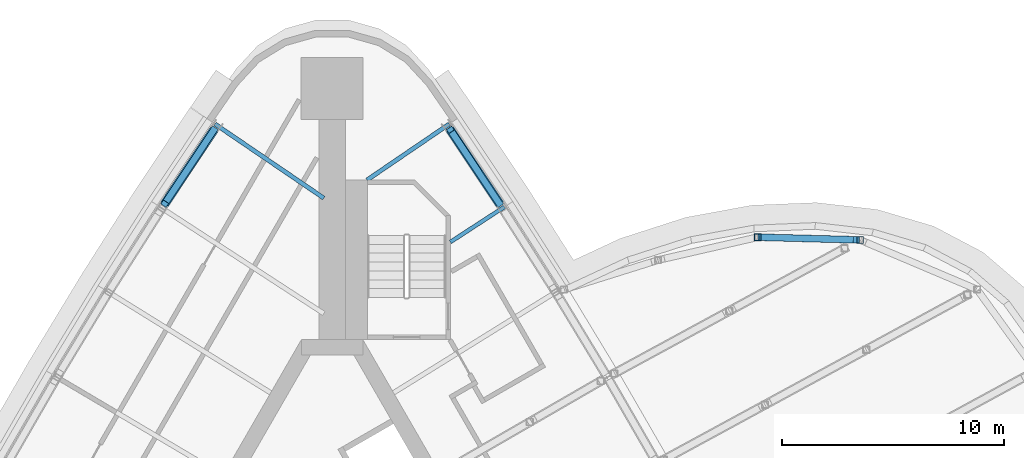
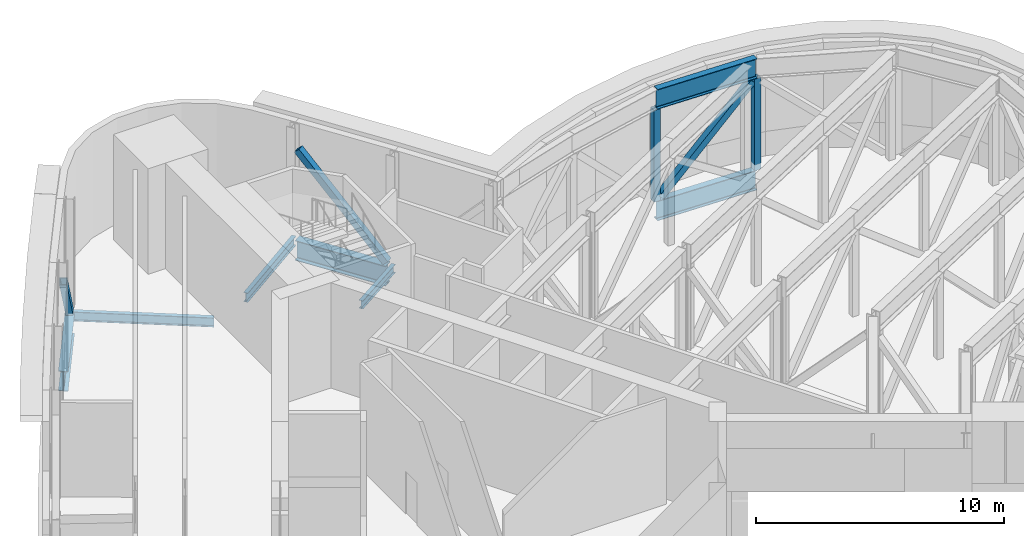
# One storey, part 5 of 11: 7 members, 5 beams.
"""IFC4 building model written with IfcOpenShell, lengths in metres."""

from ifc_helpers import new_model, si_unit, direction, frame, origin, origin_2d, place, context, subcontext, project, spatial, hollow_rectangle, i_section, extrude, material, material_profile, profile_set, type_object, element, save


model = new_model("IFC4")

# Units and contexts
model_context = context("Model", 3, precision=1e-05, world=origin(), true_north=direction((0.0, 1.0)))
body_context = subcontext(model_context, "Body", "Model", "MODEL_VIEW")
ifc_project = project(units=[si_unit("LENGTHUNIT", "METRE"), si_unit("AREAUNIT", "SQUARE_METRE"), si_unit("VOLUMEUNIT", "CUBIC_METRE"), si_unit("PLANEANGLEUNIT", "RADIAN"), si_unit("MASSUNIT", "GRAM", prefix="KILO")], contexts=[model_context])

# Site, building, storey
site_placement = place(None, origin())
site = spatial("IfcSite", under=ifc_project, at=site_placement, CompositionType="ELEMENT")
building_placement = place(site_placement, origin())
building = spatial("IfcBuilding", under=site, at=building_placement, Name="Noor Cloister Tower", CompositionType="ELEMENT")
storey_placement = place(building_placement, frame((0.0, 0.0, 168.89990234375)))
storey = spatial("IfcBuildingStorey", under=building, at=storey_placement, Name="L43", CompositionType="ELEMENT", Elevation=168.89990234375)

# Beams
ifc_material_1 = material(Name="Steel ASTM A992 Gr 50", Category="steel")
ifc_material_profile_1 = material_profile(ifc_material_1, i_section(OverallWidth=0.40087890625, OverallDepth=0.98291015625, WebThickness=0.0166015625, FlangeThickness=0.027099609375, FilletRadius=0.030029296875, at=origin_2d()), Name="W1000x296")
ifc_profile_set_1 = profile_set([ifc_material_profile_1], Name="Steel ASTM A992 Gr 50")
beam_type_1 = type_object("IfcBeamType", Name="Belt chord girder W1000x296", PredefinedType="BEAM", material=ifc_profile_set_1)
for number, where, z_axis, x_axis, name in (
    (1, (-5.30810546875, 20.95751953125, -0.79150390625), (-0.55399732331, -0.832518447703, 0.0), (0.832518447703, -0.55399732331, 0.0), "Spandrel beam NW 01 L43"),
    (2, (7.573486328125, 17.55322265625, -0.79150390625), (-0.55399732331, 0.832518447703, 0.0), (-0.832518447703, -0.55399732331, 0.0), "Spandrel beam NE 07 L43"),
):
    element("IfcBeam", number, at=place(storey_placement, frame(where, z_axis=z_axis, x_axis=x_axis)), inside=storey, type_object=beam_type_1, Name=name, PredefinedType="BEAM", context=body_context, shape_type="SweptSolid", body=[
        extrude(i_section(OverallWidth=0.40087890625, OverallDepth=0.98291015625, WebThickness=0.0166015625, FlangeThickness=0.027099609375, FilletRadius=0.030029296875, at=origin_2d()), origin(), (0.0, 0.0, 1.0), 4.089111328125),
    ])

# Members
ifc_material_2 = material(Name="Steel ASTM A500 Gr C", Category="steel")
ifc_material_profile_2 = material_profile(ifc_material_2, hollow_rectangle(XDim=0.304931640625, YDim=0.304931640625, WallThickness=0.0126953125, at=origin_2d()), Name="HSS304.8x304.8x12.7")
ifc_profile_set_2 = profile_set([ifc_material_profile_2], Name="Steel ASTM A500 Gr C")
member_type_1 = type_object("IfcMemberType", Name="Belt truss diagonal HSS304.8x304.8x12.7", PredefinedType="BRACE", material=ifc_profile_set_2)
for number, where, z_axis, x_axis, name in (
    (3, (-5.331298828125, 20.9228515625, -0.196044921875), (-0.377187677212, -0.566818885668, 0.732424608413), (0.832518810555, -0.553996778034, 0.0), "Belt truss diagonal NW 01 L43"),
    (4, (7.550537109375, 17.587890625, -0.196044921875), (-0.377187677212, 0.566818885668, 0.732424608413), (-0.832518810555, -0.553996778034, 0.0), "Belt truss diagonal NE 07 L43"),
):
    element("IfcMember", number, at=place(storey_placement, frame(where, z_axis=z_axis, x_axis=x_axis)), inside=storey, type_object=member_type_1, Name=name, PredefinedType="BRACE", context=body_context, shape_type="SweptSolid", body=[
        extrude(hollow_rectangle(XDim=0.304931640625, YDim=0.304931640625, WallThickness=0.0126953125, at=origin_2d()), origin(), (0.0, 0.0, 1.0), 5.883544921875),
    ])
ifc_material_3 = material(Name="Steel ASTM A992 Gr 50", Category="steel")
ifc_material_profile_3 = material_profile(ifc_material_3, i_section(OverallWidth=0.300048828125, OverallDepth=0.97998046875, WebThickness=0.0166015625, FlangeThickness=0.026123046875, FilletRadius=0.02978515625, at=origin_2d()), Name="W1000x249")
ifc_profile_set_3 = profile_set([ifc_material_profile_3], Name="Steel ASTM A992 Gr 50")
member_type_2 = type_object("IfcMemberType", Name="Pod ring chord W1000x249", PredefinedType="CHORD", material=ifc_profile_set_3)
for number, where, z_axis, x_axis, name in (
    (5, (23.79150390625, 15.955322265625, -0.789794921875), (-0.999640369699, 0.026816622967, 0.0), (-0.026816622967, -0.999640369699, 0.0), "Pod truss 3 bottom chord ring 8"),
    (6, (23.79150390625, 15.955322265625, 4.710205078125), (-0.999640369699, 0.026816622967, 0.0), (-0.026816622967, -0.999640369699, 0.0), "Pod truss 3 top chord ring 8"),
):
    element("IfcMember", number, at=place(storey_placement, frame(where, z_axis=z_axis, x_axis=x_axis)), inside=storey, type_object=member_type_2, Name=name, PredefinedType="CHORD", context=body_context, shape_type="SweptSolid", body=[
        extrude(i_section(OverallWidth=0.300048828125, OverallDepth=0.97998046875, WebThickness=0.0166015625, FlangeThickness=0.026123046875, FilletRadius=0.02978515625, at=origin_2d()), origin(), (0.0, 0.0, 1.0), 4.5703125),
    ])
ifc_material_4 = material(Name="Steel ASTM A500 Gr C", Category="steel")
ifc_material_profile_4 = material_profile(ifc_material_4, hollow_rectangle(XDim=0.304931640625, YDim=0.304931640625, WallThickness=0.0126953125, at=origin_2d()), Name="HSS304.8x304.8x12.7")
ifc_profile_set_4 = profile_set([ifc_material_profile_4], Name="Steel ASTM A500 Gr C")
member_type_3 = type_object("IfcMemberType", Name="Pod truss diagonal HSS304.8x304.8x12.7", PredefinedType="BRACE", material=ifc_profile_set_4)
member_placement = place(storey_placement, frame((23.62255859375, 15.959716796875, 4.11328125), z_axis=(-0.69990380977, 0.018781757431, -0.713990127843), x_axis=(-0.026825112824, -0.999640141912, 0.0)))
element("IfcMember", 7, at=member_placement, inside=storey, type_object=member_type_3, Name="Pod truss 3 diagonal ring 8", PredefinedType="BRACE", context=body_context, shape_type="SweptSolid", body=[
    extrude(hollow_rectangle(XDim=0.304931640625, YDim=0.304931640625, WallThickness=0.0126953125, at=origin_2d()), origin(), (0.0, 0.0, 1.0), 6.031494140625),
])
ifc_material_5 = material(Name="Steel ASTM A500 Gr C", Category="steel")
ifc_material_profile_5 = material_profile(ifc_material_5, hollow_rectangle(XDim=0.304931640625, YDim=0.304931640625, WallThickness=0.0126953125, at=origin_2d()), Name="HSS304.8x304.8x12.7")
ifc_profile_set_5 = profile_set([ifc_material_profile_5], Name="Steel ASTM A500 Gr C")
member_type_4 = type_object("IfcMemberType", Name="Pod truss post HSS304.8x304.8x12.7", PredefinedType="POST", material=ifc_profile_set_5)
for number, where, z_axis, x_axis, name in (
    (8, (23.81982421875, 15.95458984375, -0.2998046875), (0.0, 0.0, 1.0), (1.0, 0.0, 0.0), "Pod truss 3 post ring node 7"),
    (9, (19.203857421875, 16.078369140625, -0.2998046875), (0.0, 0.0, 1.0), (1.0, 0.0, 0.0), "Pod truss 3 post ring node 8"),
):
    element("IfcMember", number, at=place(storey_placement, frame(where, z_axis=z_axis, x_axis=x_axis)), inside=storey, type_object=member_type_4, Name=name, PredefinedType="POST", context=body_context, shape_type="SweptSolid", body=[
        extrude(hollow_rectangle(XDim=0.304931640625, YDim=0.304931640625, WallThickness=0.0126953125, at=origin_2d()), origin(), (0.0, 0.0, 1.0), 4.52001953125),
    ])

# Beams
ifc_material_6 = material(Name="Steel ASTM A992 Gr 50", Category="steel")
ifc_material_profile_6 = material_profile(ifc_material_6, i_section(OverallWidth=0.177978515625, OverallDepth=0.406005859375, WebThickness=0.0078125, FlangeThickness=0.0126953125, FilletRadius=0.01025390625, at=origin_2d()), Name="W410x60")
ifc_profile_set_6 = profile_set([ifc_material_profile_6], Name="Steel ASTM A992 Gr 50")
beam_type_2 = type_object("IfcBeamType", Name="Radial beam W410x60", PredefinedType="BEAM", material=ifc_profile_set_6)
beam_1_placement = place(storey_placement, frame((7.773681640625, 17.4453125, -0.5029296875), z_axis=(-0.838363046865, -0.545112283526, 0.0), x_axis=(0.545112283526, -0.838363046865, 0.0)))
element("IfcBeam", 10, at=beam_1_placement, inside=storey, type_object=beam_type_2, Name="Radial beam NE 07 L43", PredefinedType="BEAM", context=body_context, shape_type="SweptSolid", body=[
    extrude(i_section(OverallWidth=0.177978515625, OverallDepth=0.406005859375, WebThickness=0.0078125, FlangeThickness=0.0126953125, FilletRadius=0.01025390625, at=origin_2d()), origin(), (0.0, 0.0, 1.0), 2.907958984375),
])
ifc_material_7 = material(Name="Steel ASTM A992 Gr 50", Category="steel")
ifc_material_profile_7 = material_profile(ifc_material_7, i_section(OverallWidth=0.19091796875, OverallDepth=0.45703125, WebThickness=0.009033203125, FlangeThickness=0.014404296875, FilletRadius=0.01025390625, at=origin_2d()), Name="W460x74")
ifc_profile_set_7 = profile_set([ifc_material_profile_7], Name="Steel ASTM A992 Gr 50")
beam_type_3 = type_object("IfcBeamType", Name="Radial beam W460x74", PredefinedType="BEAM", material=ifc_profile_set_7)
beam_2_placement = place(storey_placement, frame((-5.2861328125, 21.183837890625, -0.5283203125), z_axis=(0.826618363488, -0.562762899581, 0.0), x_axis=(0.562762899581, 0.826618363488, 0.0)))
element("IfcBeam", 11, at=beam_2_placement, inside=storey, type_object=beam_type_3, Name="Radial beam NW 01 L43", PredefinedType="BEAM", context=body_context, shape_type="SweptSolid", body=[
    extrude(i_section(OverallWidth=0.19091796875, OverallDepth=0.45703125, WebThickness=0.009033203125, FlangeThickness=0.014404296875, FilletRadius=0.01025390625, at=origin_2d()), origin(), (0.0, 0.0, 1.0), 5.941162109375),
])
beam_3_placement = place(storey_placement, frame((5.2861328125, 21.183837890625, -0.5283203125), z_axis=(-0.826625074024, -0.562753042634, 0.0), x_axis=(0.562753042634, -0.826625074024, 0.0)))
element("IfcBeam", 12, at=beam_3_placement, inside=storey, type_object=beam_type_3, Name="Radial beam NE 08 L43", PredefinedType="BEAM", context=body_context, shape_type="SweptSolid", body=[
    extrude(i_section(OverallWidth=0.19091796875, OverallDepth=0.45703125, WebThickness=0.009033203125, FlangeThickness=0.014404296875, FilletRadius=0.01025390625, at=origin_2d()), origin(), (0.0, 0.0, 1.0), 4.490966796875),
])

save(model, "model.ifc")
